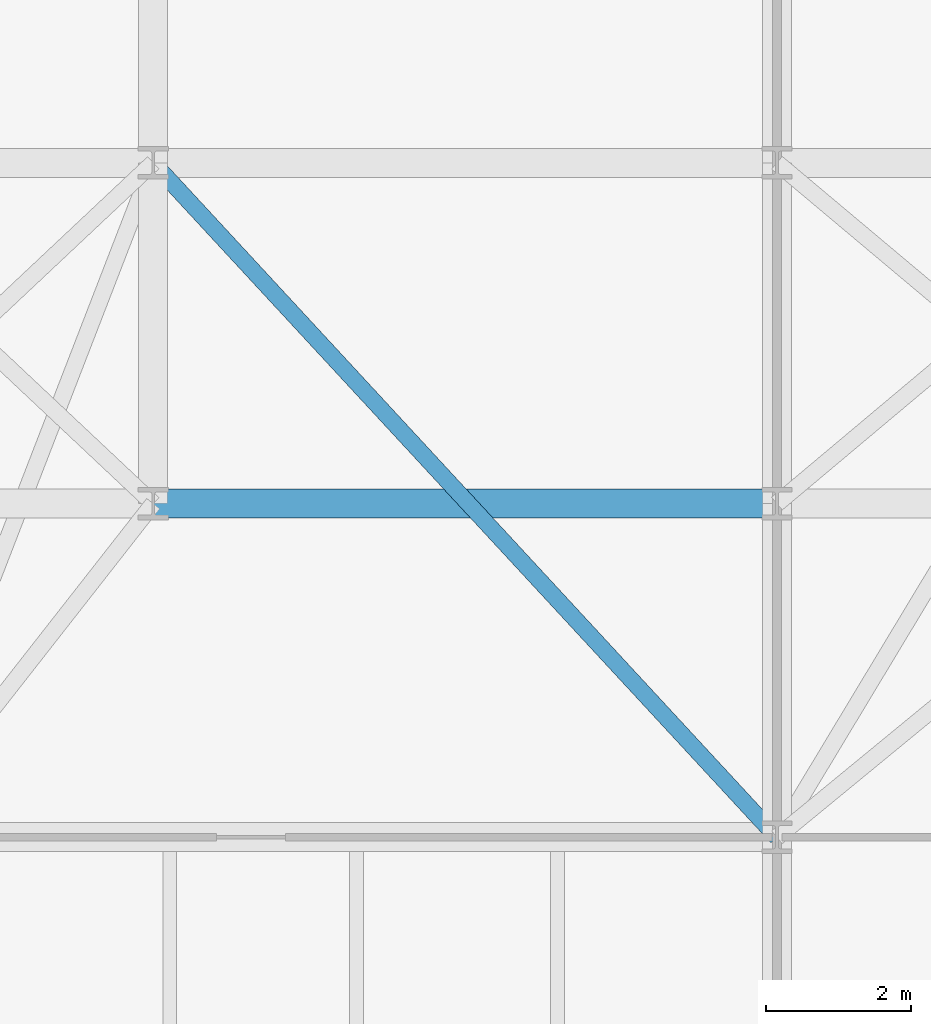
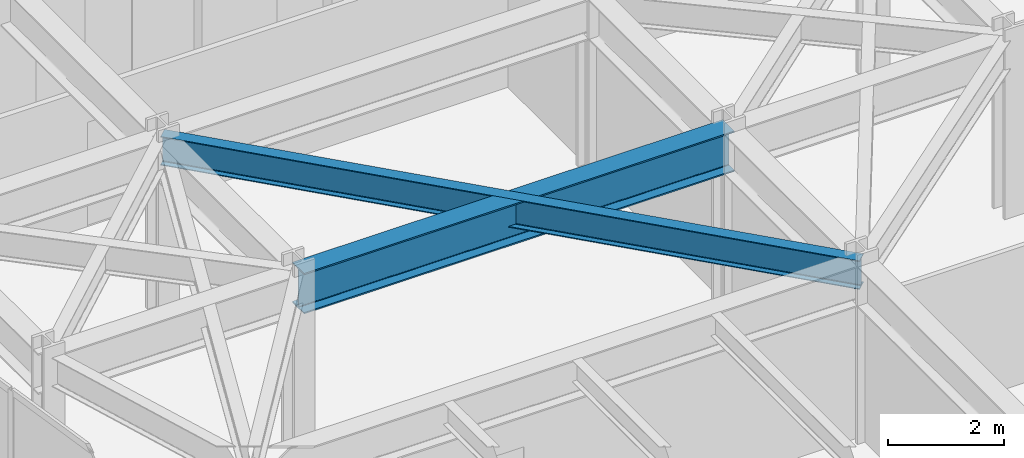
# One storey, part 10 of 26: 2 beams.
"""IFC4 building model written with IfcOpenShell, lengths in metres."""

import ifcopenshell
import ifcopenshell.guid

model = None  # the IFC model being written
_history = None  # IfcOwnerHistory: only IFC2X3 demands one
_inside = {}  # id of a spatial element -> (the spatial element, [elements in it])
_under = {}  # id of a project, library or spatial element -> (it, [spatial elements below it])
_declared = {}  # id of a project -> (the project, [libraries it declares])
_typed = {}  # id of a type object -> (the type object, [elements of that type])
_made_of = {}  # id of a material, layer set ... -> (it, [elements and type objects made of it])


def new_model(schema):
    """Start an empty IFC model of exactly this schema.

    Asked for "IFC4X3", IfcOpenShell would pick the latest addendum, in which some entities
    have other attributes; the version numbers below select the first issue.
    IFC2X3 requires an IfcOwnerHistory on every rooted entity: one is made here for all.
    """
    global model, _history
    if schema == "IFC4X3":
        model = ifcopenshell.file(schema_version=(4, 3, 0, 0))
    else:
        model = ifcopenshell.file(schema=schema)
    _inside.clear()
    _under.clear()
    _declared.clear()
    _typed.clear()
    _made_of.clear()
    _history = None
    if model.schema == "IFC2X3":
        org = make("IfcOrganization", Name="unknown")
        user = make(
            "IfcPersonAndOrganization",
            ThePerson=make("IfcPerson", FamilyName="unknown"),
            TheOrganization=org,
        )
        app = make(
            "IfcApplication",
            ApplicationDeveloper=org,
            Version="unknown",
            ApplicationFullName="unknown",
            ApplicationIdentifier="unknown",
        )
        _history = make(
            "IfcOwnerHistory",
            OwningUser=user,
            OwningApplication=app,
            ChangeAction="ADDED",
            CreationDate=0,
        )
    return model


def make(cls, **values):
    """One entity of the class cls with the attributes given. An attribute that is None is left unset."""
    return model.create_entity(
        cls, **{name: value for name, value in values.items() if value is not None}
    )


def rooted(cls, **values):
    """An entity with a GlobalId (a new one), such as an element, a storey or a relation."""
    return make(cls, GlobalId=ifcopenshell.guid.new(), OwnerHistory=_history, **values)


def si_unit(unit_type, name, prefix=None):
    """IfcSIUnit, for example si_unit("LENGTHUNIT", "METRE", prefix="MILLI")."""
    return make("IfcSIUnit", UnitType=unit_type, Prefix=prefix, Name=name)


def assignment(units):
    """IfcUnitAssignment: the units of a project."""
    return None if units is None else make("IfcUnitAssignment", Units=units)


def point(xyz):
    """IfcCartesianPoint."""
    return None if xyz is None else make("IfcCartesianPoint", Coordinates=xyz)


def direction(xyz):
    """IfcDirection."""
    return None if xyz is None else make("IfcDirection", DirectionRatios=xyz)


def frame(location, z_axis=None, x_axis=None):
    """IfcAxis2Placement3D, a coordinate frame: its origin and axes. An axis left out is left unset."""
    return make(
        "IfcAxis2Placement3D",
        Location=point(location),
        Axis=direction(z_axis),
        RefDirection=direction(x_axis),
    )


def frame_2d(location, x_axis=None):
    """IfcAxis2Placement2D, a coordinate frame in the plane: its origin and x axis."""
    return make(
        "IfcAxis2Placement2D", Location=point(location), RefDirection=direction(x_axis)
    )


def origin():
    """The frame at (0, 0, 0) with its axes left unset."""
    return frame((0.0, 0.0, 0.0))


def origin_2d():
    """The frame at (0, 0) in the plane with its x axis left unset."""
    return frame_2d((0.0, 0.0))


def place(relative_to, where):
    """IfcLocalPlacement: puts the frame where relative to a parent placement (None: the world)."""
    return make(
        "IfcLocalPlacement", PlacementRelTo=relative_to, RelativePlacement=where
    )


def context(
    kind, dimensions, precision=None, world=None, true_north=None, identifier=None
):
    """IfcGeometricRepresentationContext, for example the 3D "Model" context."""
    return make(
        "IfcGeometricRepresentationContext",
        ContextIdentifier=identifier,
        ContextType=kind,
        CoordinateSpaceDimension=dimensions,
        Precision=precision,
        WorldCoordinateSystem=world,
        TrueNorth=true_north,
    )


def subcontext(parent, identifier, kind, view, scale=None):
    """IfcGeometricRepresentationSubContext, for example "Body" below "Model"."""
    return make(
        "IfcGeometricRepresentationSubContext",
        ContextIdentifier=identifier,
        ContextType=kind,
        ParentContext=parent,
        TargetScale=scale,
        TargetView=view,
    )


def project(units=None, contexts=None):
    """IfcProject with its units and contexts."""
    return rooted(
        "IfcProject",
        Name="project",
        RepresentationContexts=contexts,
        UnitsInContext=assignment(units),
    )


def spatial(cls, under=None, at=None, **own):
    """A site, building, storey or space (cls), placed at a placement, below another one or the project."""
    s = rooted(cls, ObjectPlacement=at, **own)
    if under is not None:
        _under.setdefault(under.id(), (under, []))[1].append(s)
    return s


def profile(cls, at=None, kind="AREA", **sizes):
    """A parametric profile (cls). Its sizes go by their IFC names, for example OverallWidth=200.0."""
    return make(cls, ProfileType=kind, Position=at, **sizes)


def i_section(**sizes):
    """IfcIShapeProfileDef."""
    return profile("IfcIShapeProfileDef", **sizes)


def extrude(swept, where, along, depth):
    """IfcExtrudedAreaSolid: the profile swept, set in the frame where, extruded along a direction by depth."""
    return make(
        "IfcExtrudedAreaSolid",
        SweptArea=swept,
        Position=where,
        ExtrudedDirection=direction(along),
        Depth=depth,
    )


def shape(context_of_items, identifier, shape_type, items):
    """IfcShapeRepresentation: the items that make up one representation, for example the "Body"."""
    return make(
        "IfcShapeRepresentation",
        ContextOfItems=context_of_items,
        RepresentationIdentifier=identifier,
        RepresentationType=shape_type,
        Items=items,
    )


def material(Name=None, Category=None):
    """IfcMaterial."""
    return make("IfcMaterial", Name=Name, Category=Category)


def material_profile(
    of_material, cross_section, Name=None, Category=None, Priority=None
):
    """IfcMaterialProfile: a cross section and its material."""
    return make(
        "IfcMaterialProfile",
        Name=Name,
        Material=of_material,
        Profile=cross_section,
        Priority=Priority,
        Category=Category,
    )


def profile_set(profiles, Name=None, composite=None):
    """IfcMaterialProfileSet."""
    return make(
        "IfcMaterialProfileSet",
        Name=Name,
        MaterialProfiles=profiles,
        CompositeProfile=composite,
    )


def made_of(thing, what):
    """Note that an element or type object is made of a material, layer set ...; save() writes the relation."""
    if what is not None:
        _made_of.setdefault(what.id(), (what, []))[1].append(thing)
    return thing


def type_object(cls, material=None, **own):
    """A type object (cls), such as IfcWallType, which elements share."""
    return made_of(rooted(cls, **own), material)


def element(
    cls,
    number,
    at=None,
    inside=None,
    cuts=None,
    type_object=None,
    material=None,
    context=None,
    identifier="Body",
    shape_type=None,
    held_by="IfcProductDefinitionShape",
    body=None,
    shapes=None,
    **own,
):
    """One element of the class cls, such as IfcWall. Its Tag is "e" and its number.

    at: its placement. inside: the storey or other place that contains it. cuts: it is an
    opening in that element (IfcRelVoidsElement). A single representation is given by context,
    identifier, shape_type and body (its items); several are given by shapes. held_by: the class
    of the entity that holds the representations. save() writes the other relations.
    """
    e = rooted(cls, Tag="e%d" % number, ObjectPlacement=at, **own)
    if body is not None:
        shapes = [shape(context, identifier, shape_type, body)]
    if shapes is not None:
        e.Representation = make(held_by, Representations=shapes)
    if inside is not None:
        _inside.setdefault(inside.id(), (inside, []))[1].append(e)
    if cuts is not None:
        rooted(
            "IfcRelVoidsElement", RelatingBuildingElement=cuts, RelatedOpeningElement=e
        )
    if type_object is not None:
        _typed.setdefault(type_object.id(), (type_object, []))[1].append(e)
    return made_of(e, material)


def aggregate(whole, parts):
    """IfcRelAggregates: a whole, such as a stair, and the parts it consists of."""
    return rooted("IfcRelAggregates", RelatingObject=whole, RelatedObjects=parts)


def save(model, path):
    """Write the relations noted so far, then the file.

    IfcRelAggregates (storeys below a building ...), IfcRelContainedInSpatialStructure (elements
    in a storey), IfcRelDefinesByType, IfcRelAssociatesMaterial and IfcRelDeclares: one each for
    every whole, place, type object, material and project.
    """
    for whole, parts in _under.values():
        aggregate(whole, parts)
    for where, things in _inside.values():
        rooted(
            "IfcRelContainedInSpatialStructure",
            RelatedElements=things,
            RelatingStructure=where,
        )
    for kind, things in _typed.values():
        rooted("IfcRelDefinesByType", RelatedObjects=things, RelatingType=kind)
    for what, things in _made_of.values():
        rooted("IfcRelAssociatesMaterial", RelatedObjects=things, RelatingMaterial=what)
    for by, libraries in _declared.values():
        rooted("IfcRelDeclares", RelatingContext=by, RelatedDefinitions=libraries)
    model.write(path)


model = new_model("IFC4")

# Units and contexts
model_context = context("Model", 3, precision=1e-05, world=origin(), true_north=direction((0.0, 1.0)))
body_context = subcontext(model_context, "Body", "Model", "MODEL_VIEW")
ifc_project = project(units=[si_unit("LENGTHUNIT", "METRE"), si_unit("AREAUNIT", "SQUARE_METRE"), si_unit("VOLUMEUNIT", "CUBIC_METRE"), si_unit("PLANEANGLEUNIT", "RADIAN"), si_unit("MASSUNIT", "GRAM", prefix="KILO")], contexts=[model_context])

# Site, building, storey
site_placement = place(None, origin())
site = spatial("IfcSite", under=ifc_project, at=site_placement, CompositionType="ELEMENT")
building_placement = place(site_placement, origin())
building = spatial("IfcBuilding", under=site, at=building_placement, Name="Kravanh Interchange Tower", CompositionType="ELEMENT")
storey_placement = place(building_placement, frame((0.0, 0.0, 148.0)))
storey = spatial("IfcBuildingStorey", under=building, at=storey_placement, Name="L35", CompositionType="ELEMENT", Elevation=148.0)

# Beams
ifc_material_1 = material(Name="Structural Steel S355", Category="steel")
ifc_material_profile_1 = material_profile(ifc_material_1, i_section(OverallWidth=0.39990234375, OverallDepth=0.85595703125, WebThickness=0.018310546875, FlangeThickness=0.029296875, FilletRadius=0.02490234375, at=origin_2d()), Name="W33X201")
ifc_profile_set_1 = profile_set([ifc_material_profile_1], Name="Structural Steel S355")
beam_type_1 = type_object("IfcBeamType", Name="Floor Beam W33X201 Structural Steel S355", PredefinedType="BEAM", material=ifc_profile_set_1)
beam_1_placement = place(storey_placement, frame((18.60009765625, 26.800048828125, 3.322021484375), z_axis=(1.0, 0.0, 0.0), x_axis=(0.0, 1.0, 0.0)))
element("IfcBeam", 1, at=beam_1_placement, inside=storey, type_object=beam_type_1, Name="L35 Primary Floor Girder 44", PredefinedType="BEAM", context=body_context, shape_type="SweptSolid", body=[
    extrude(i_section(OverallWidth=0.39990234375, OverallDepth=0.85595703125, WebThickness=0.018310546875, FlangeThickness=0.029296875, FilletRadius=0.02490234375, at=origin_2d()), origin(), (0.0, 0.0, 1.0), 8.599853515625),
])
ifc_material_2 = material(Name="Structural Steel S355", Category="steel")
ifc_material_profile_2 = material_profile(ifc_material_2, i_section(OverallWidth=0.22802734375, OverallDepth=0.60791015625, WebThickness=0.01123046875, FlangeThickness=0.017333984375, FilletRadius=0.02197265625, at=origin_2d()), Name="W24X76")
ifc_profile_set_2 = profile_set([ifc_material_profile_2], Name="Structural Steel S355")
beam_type_2 = type_object("IfcBeamType", Name="Floor Spandrel W24X76 Structural Steel S355", PredefinedType="SPANDREL", material=ifc_profile_set_2)
beam_2_placement = place(storey_placement, frame((18.60009765625, 31.5, 3.446044921875), z_axis=(0.678927458783, -0.734205356634, 0.0), x_axis=(0.734205356634, 0.678927458783, 0.0)))
element("IfcBeam", 2, at=beam_2_placement, inside=storey, type_object=beam_type_2, Name="L35 Perimeter Spandrel 73", PredefinedType="SPANDREL", context=body_context, shape_type="SweptSolid", body=[
    extrude(i_section(OverallWidth=0.22802734375, OverallDepth=0.60791015625, WebThickness=0.01123046875, FlangeThickness=0.017333984375, FilletRadius=0.02197265625, at=origin_2d()), origin(), (0.0, 0.0, 1.0), 12.666748046875),
])

save(model, "model.ifc")
